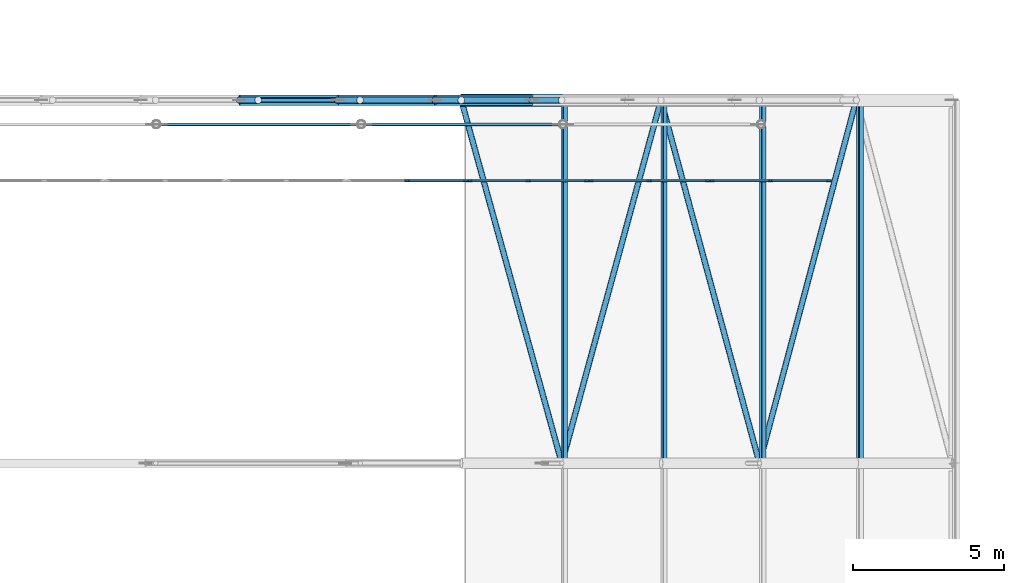
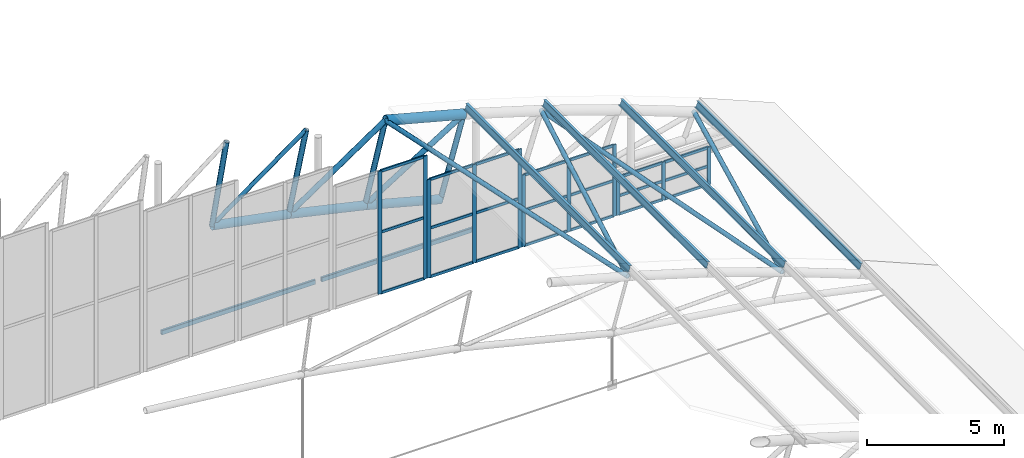
# One storey, part 199 of 321: 53 members, 4 elements without a shape of their own.
"""IFC4 building model written with IfcOpenShell, lengths in metres."""

from ifc_helpers import new_model, si_unit, direction, frame, origin, origin_2d, place, context, subcontext, project, spatial, rectangle, hollow_rectangle, hollow_circle, i_section, extrude, material, layer, layer_set, material_profile, profile_set, type_object, element, aggregate, save


model = new_model("IFC4")

# Units and contexts
model_context = context("Model", 3, precision=1e-05, world=origin(), true_north=direction((0.0, 1.0)))
body_context = subcontext(model_context, "Body", "Model", "MODEL_VIEW")
ifc_project = project(units=[si_unit("LENGTHUNIT", "METRE"), si_unit("AREAUNIT", "SQUARE_METRE"), si_unit("VOLUMEUNIT", "CUBIC_METRE"), si_unit("PLANEANGLEUNIT", "RADIAN"), si_unit("MASSUNIT", "GRAM", prefix="KILO")], contexts=[model_context])

# Site, building, storey
site_placement = place(None, origin())
site = spatial("IfcSite", under=ifc_project, at=site_placement, CompositionType="ELEMENT")
building_placement = place(site_placement, origin())
building = spatial("IfcBuilding", under=site, at=building_placement, Name="Ravi Spectrum Wholesale Market", CompositionType="ELEMENT")
storey_placement = place(building_placement, frame((0.0, 0.0, 10.800048828125)))
storey = spatial("IfcBuildingStorey", under=building, at=storey_placement, Name="L02", CompositionType="ELEMENT", Elevation=10.800048828125)

# Members
ifc_material_1 = material(Name="Steel S355", Category="steel")
ifc_material_profile_1 = material_profile(ifc_material_1, hollow_circle(Radius=0.084228515625, WallThickness=0.00634765625, at=origin_2d()))
ifc_profile_set_1 = profile_set([ifc_material_profile_1], Name="Steel S355")
member_type_1 = type_object("IfcMemberType", Name="CHS 168.3x6.3 brace", PredefinedType="BRACE", material=ifc_profile_set_1)
member_1_placement = place(storey_placement, frame((90.436279296875, 198.0, 6.27734375), z_axis=(-0.808703958366, 0.0, -0.588215868303), x_axis=(0.0, -1.0, 0.0)))
element("IfcMember", 1, at=member_1_placement, inside=storey, type_object=member_type_1, Name="H1-MB-L02-1222", PredefinedType="BRACE", context=body_context, shape_type="SweptSolid", body=[
    extrude(hollow_circle(Radius=0.084228515625, WallThickness=0.00634765625, at=origin_2d()), origin(), (0.0, 0.0, 1.0), 4.9296875),
])
ifc_material_2 = material(Name="Steel S355", Category="steel")
ifc_material_profile_2 = material_profile(ifc_material_2, hollow_circle(Radius=0.096923828125, WallThickness=0.00634765625, at=origin_2d()))
ifc_profile_set_2 = profile_set([ifc_material_profile_2], Name="Steel S355")
member_type_2 = type_object("IfcMemberType", Name="CHS 193.7x6.3 brace", PredefinedType="BRACE", material=ifc_profile_set_2)
for number, where, z_axis, x_axis, name in (
    (2, (93.78076171875, 198.0, 5.514404296875), (0.26624914117, -0.961478053543, -0.068347255841), (0.963731651121, 0.266873199532, 0.0), "H1-MB-L02-1723"),
    (3, (97.103759765625, 186.0, 4.661376953125), (0.262551801783, 0.961477139117, -0.08141414089), (-0.964679529004, 0.263426282517, 0.0), "H1-MB-L02-1724"),
    (4, (100.380615234375, 198.0, 3.645263671875), (0.260908126195, -0.961475200084, -0.086558588875), (0.965097440522, 0.261891065708, 0.0), "H1-MB-L02-1725"),
):
    element("IfcMember", number, at=place(storey_placement, frame(where, z_axis=z_axis, x_axis=x_axis)), inside=storey, type_object=member_type_2, Name=name, PredefinedType="BRACE", context=body_context, shape_type="SweptSolid", body=[
        extrude(hollow_circle(Radius=0.096923828125, WallThickness=0.00634765625, at=origin_2d()), origin(), (0.0, 0.0, 1.0), 12.480712890625),
    ])
member_2_placement = place(storey_placement, frame((103.636962890625, 186.0, 2.56494140625), z_axis=(0.256330404397, 0.961473751291, -0.099312382717), x_axis=(-0.966250599295, 0.257603919539, 0.0)))
element("IfcMember", 5, at=member_2_placement, inside=storey, type_object=member_type_2, Name="H1-MB-L02-1726", PredefinedType="BRACE", context=body_context, shape_type="SweptSolid", body=[
    extrude(hollow_circle(Radius=0.096923828125, WallThickness=0.00634765625, at=origin_2d()), origin(), (0.0, 0.0, 1.0), 12.48095703125),
])
ifc_material_3 = material(Name="Steel S355", Category="steel")
ifc_material_profile_3 = material_profile(ifc_material_3, hollow_circle(Radius=0.109619140625, WallThickness=0.008056640625, at=origin_2d()))
ifc_profile_set_3 = profile_set([ifc_material_profile_3], Name="Steel S355")
member_type_3 = type_object("IfcMemberType", Name="CHS 219.1x8 brace", PredefinedType="BRACE", material=ifc_profile_set_3)
for number, where, z_axis, x_axis, name in (
    (6, (93.78076171875, 198.0, 5.514404296875), (-0.828544259915, 0.0, -0.559923574573), (0.0, -1.0, 0.0), "H1-MB-L02-1223"),
    (7, (97.096923828125, 198.0, 4.63671875), (-0.847368909482, 0.0, -0.531004643335), (0.0, -1.0, 0.0), "H1-MB-L02-1224"),
):
    element("IfcMember", number, at=place(storey_placement, frame(where, z_axis=z_axis, x_axis=x_axis)), inside=storey, type_object=member_type_3, Name=name, PredefinedType="BRACE", context=body_context, shape_type="SweptSolid", body=[
        extrude(hollow_circle(Radius=0.109619140625, WallThickness=0.008056640625, at=origin_2d()), origin(), (0.0, 0.0, 1.0), 4.9296875),
    ])
ifc_material_4 = material(Name="Steel S355", Category="steel")
ifc_material_profile_4 = material_profile(ifc_material_4, hollow_circle(Radius=0.109619140625, WallThickness=0.008056640625, at=origin_2d()))
ifc_profile_set_4 = profile_set([ifc_material_profile_4], Name="Steel S355")
member_type_4 = type_object("IfcMemberType", Name="CHS 219.1x8 post", PredefinedType="POST", material=ifc_profile_set_4)
for number, where, z_axis, x_axis, name in (
    (8, (87.0673828125, 198.0, 6.92431640625), (-0.171575852457, 0.0, -0.985170912509), (0.0, -1.0, 0.0), "H1-MB-L02-1199"),
    (9, (90.436279296875, 198.0, 6.27734375), (-0.205549060287, 0.0, -0.978646812602), (0.0, -1.0, 0.0), "H1-MB-L02-1200"),
):
    element("IfcMember", number, at=place(storey_placement, frame(where, z_axis=z_axis, x_axis=x_axis)), inside=storey, type_object=member_type_4, Name=name, PredefinedType="POST", context=body_context, shape_type="SweptSolid", body=[
        extrude(hollow_circle(Radius=0.109619140625, WallThickness=0.008056640625, at=origin_2d()), origin(), (0.0, 0.0, 1.0), 3.60009765625),
    ])
for number, where, z_axis, x_axis, name in (
    (10, (93.78076171875, 198.0, 5.514404296875), (-0.239199072456, 0.0, -0.970970547306), (0.0, -1.0, 0.0), "H1-MB-L02-1201"),
    (11, (97.096923828125, 198.0, 4.63671875), (-0.272561766134, 0.0, -0.962138287172), (0.0, -1.0, 0.0), "H1-MB-L02-1202"),
):
    element("IfcMember", number, at=place(storey_placement, frame(where, z_axis=z_axis, x_axis=x_axis)), inside=storey, type_object=member_type_4, Name=name, PredefinedType="POST", context=body_context, shape_type="SweptSolid", body=[
        extrude(hollow_circle(Radius=0.109619140625, WallThickness=0.008056640625, at=origin_2d()), origin(), (0.0, 0.0, 1.0), 3.599853515625),
    ])
ifc_material_5 = material(Name="Steel S355", Category="steel")
ifc_material_profile_5 = material_profile(ifc_material_5, hollow_circle(Radius=0.177734375, WallThickness=0.012451171875, at=origin_2d()))
ifc_profile_set_5 = profile_set([ifc_material_profile_5], Name="Steel S355")
member_type_5 = type_object("IfcMemberType", Name="CHS 355.6x12.5 chord", PredefinedType="CHORD", material=ifc_profile_set_5)
member_3_placement = place(storey_placement, frame((86.44970703125, 198.0, 3.377685546875), z_axis=(0.982051718756, 0.0, -0.188611828072), x_axis=(0.0, 1.0, 0.0)))
element("IfcMember", 12, at=member_3_placement, inside=storey, type_object=member_type_5, Name="H1-MB-L02-1176", PredefinedType="CHORD", context=body_context, shape_type="SweptSolid", body=[
    extrude(hollow_circle(Radius=0.177734375, WallThickness=0.012451171875, at=origin_2d()), origin(), (0.0, 0.0, 1.0), 3.305908203125),
])
for number, where, z_axis, x_axis, name in (
    (13, (89.6962890625, 198.0, 2.754150390625), (0.974967923727, 0.0, -0.222345559217), (0.0, 1.0, 0.0), "H1-MB-L02-1177"),
    (14, (92.919677734375, 198.0, 2.01904296875), (0.966710063159, 0.0, -0.255874292938), (0.0, 1.0, 0.0), "H1-MB-L02-1178"),
):
    element("IfcMember", number, at=place(storey_placement, frame(where, z_axis=z_axis, x_axis=x_axis)), inside=storey, type_object=member_type_5, Name=name, PredefinedType="CHORD", context=body_context, shape_type="SweptSolid", body=[
        extrude(hollow_circle(Radius=0.177734375, WallThickness=0.012451171875, at=origin_2d()), origin(), (0.0, 0.0, 1.0), 3.30615234375),
    ])
ifc_material_6 = material(Name="Steel S355", Category="steel")
ifc_material_profile_6 = material_profile(ifc_material_6, hollow_circle(Radius=0.203125, WallThickness=0.01611328125, at=origin_2d()))
ifc_profile_set_6 = profile_set([ifc_material_profile_6], Name="Steel S355")
member_type_6 = type_object("IfcMemberType", Name="CHS 406.4x16 chord", PredefinedType="CHORD", material=ifc_profile_set_6)
member_4_placement = place(storey_placement, frame((93.78076171875, 198.0, 5.514404296875), z_axis=(0.966714030155, 0.0, -0.255859304896), x_axis=(0.0, 1.0, 0.0)))
element("IfcMember", 15, at=member_4_placement, inside=storey, type_object=member_type_6, Name="H1-MB-L02-1154", PredefinedType="CHORD", context=body_context, shape_type="SweptSolid", body=[
    extrude(hollow_circle(Radius=0.203125, WallThickness=0.01611328125, at=origin_2d()), origin(), (0.0, 0.0, 1.0), 3.430419921875),
])
ifc_material_7 = material(Name="Steel S355", Category="steel")
ifc_material_profile_7 = material_profile(ifc_material_7, i_section(OverallWidth=0.135009765625, OverallDepth=0.27001953125, WebThickness=0.006591796875, FlangeThickness=0.01025390625, at=origin_2d()))
ifc_profile_set_7 = profile_set([ifc_material_profile_7], Name="Steel S355")
member_type_7 = type_object("IfcMemberType", Name="IPE 270 purlin", PredefinedType="PURLIN", material=ifc_profile_set_7)
for number, where, z_axis, x_axis, name in (
    (16, (97.18896484375, 186.0, 4.962158203125), (0.0, 1.0, 0.0), (-0.96215600485, 0.0, 0.272499215286), "H1-MB-L02-1579"),
    (17, (100.484130859375, 186.0, 3.96728515625), (0.0, 1.0, 0.0), (-0.952184497174, 0.0, 0.305523621577), "H1-MB-L02-1580"),
    (18, (103.74267578125, 186.0, 2.859375), (0.0, 1.0, 0.0), (-0.941079849597, 0.0, 0.338184441811), "H1-MB-L02-1581"),
    (19, (106.96142578125, 186.0, 1.6396484375), (0.0, 1.0, 0.0), (-0.928855283584, 0.0, 0.370442792017), "H1-MB-L02-1582"),
):
    element("IfcMember", number, at=place(storey_placement, frame(where, z_axis=z_axis, x_axis=x_axis)), inside=storey, type_object=member_type_7, Name=name, PredefinedType="PURLIN", context=body_context, shape_type="SweptSolid", body=[
        extrude(i_section(OverallWidth=0.135009765625, OverallDepth=0.27001953125, WebThickness=0.006591796875, FlangeThickness=0.01025390625, at=origin_2d()), origin(), (0.0, 0.0, 1.0), 12.0),
    ])

# Curtain wall, members
ifc_material_8 = material(Name="Aluminium 6063-T6", Category="aluminium")
ifc_layer = layer(ifc_material_8, 0.14990234375)
ifc_layer_set = layer_set([ifc_layer], Name="Aluminium 6063-T6")
curtain_wall_type = type_object("IfcCurtainWallType", Name="Curtain wall 150", PredefinedType="NOTDEFINED", material=ifc_layer_set)
curtain_wall_1_placement = place(storey_placement, origin())
curtain_wall_1 = element("IfcCurtainWall", 20, at=curtain_wall_1_placement, inside=storey, type_object=curtain_wall_type, Name="H1-CW-L02-015", PredefinedType="NOTDEFINED")
ifc_material_9 = material(Name="Aluminium 6063-T6", Category="aluminium")
ifc_material_profile_8 = material_profile(ifc_material_9, rectangle(XDim=0.06005859375, YDim=0.159912109375, at=origin_2d()))
ifc_profile_set_8 = profile_set([ifc_material_profile_8], Name="Aluminium 6063-T6")
member_type_8 = type_object("IfcMemberType", Name="Mullion 60 x 160", PredefinedType="MULLION", material=ifc_profile_set_8)
member_5_placement = place(storey_placement, frame((92.0, 195.340087890625, 0.0), z_axis=(0.0, 0.0, 1.0), x_axis=(0.0, 1.0, 0.0)))
member_5 = element("IfcMember", 21, at=member_5_placement, type_object=member_type_8, Name="H1-CW-L02-015 mullion 2", PredefinedType="MULLION", context=body_context, shape_type="SweptSolid", body=[
    extrude(rectangle(XDim=0.06005859375, YDim=0.159912109375, at=origin_2d()), origin(), (0.0, 0.0, 1.0), 5.5),
])
member_6_placement = place(storey_placement, frame((93.929931640625, 195.340087890625, 0.0), z_axis=(0.0, 0.0, 1.0), x_axis=(0.0, 1.0, 0.0)))
member_6 = element("IfcMember", 22, at=member_6_placement, type_object=member_type_8, Name="H1-CW-L02-015 mullion 3", PredefinedType="MULLION", context=body_context, shape_type="SweptSolid", body=[
    extrude(rectangle(XDim=0.06005859375, YDim=0.159912109375, at=origin_2d()), origin(), (0.0, 0.0, 1.0), 5.5),
])

curtain_wall_2_placement = place(storey_placement, origin())
curtain_wall_2 = element("IfcCurtainWall", 23, at=curtain_wall_2_placement, inside=storey, type_object=curtain_wall_type, Name="H1-CW-L02-016", PredefinedType="NOTDEFINED")
member_7_placement = place(storey_placement, frame((94.070068359375, 195.340087890625, 0.0), z_axis=(0.0, 0.0, 1.0), x_axis=(0.0, 1.0, 0.0)))
member_7 = element("IfcMember", 24, at=member_7_placement, type_object=member_type_8, Name="H1-CW-L02-016 mullion 1", PredefinedType="MULLION", context=body_context, shape_type="SweptSolid", body=[
    extrude(rectangle(XDim=0.06005859375, YDim=0.159912109375, at=origin_2d()), origin(), (0.0, 0.0, 1.0), 4.39990234375),
])
member_8_placement = place(storey_placement, frame((96.0, 195.340087890625, 0.0), z_axis=(0.0, 0.0, 1.0), x_axis=(0.0, 1.0, 0.0)))
member_8 = element("IfcMember", 25, at=member_8_placement, type_object=member_type_8, Name="H1-CW-L02-016 mullion 2", PredefinedType="MULLION", context=body_context, shape_type="SweptSolid", body=[
    extrude(rectangle(XDim=0.06005859375, YDim=0.159912109375, at=origin_2d()), origin(), (0.0, 0.0, 1.0), 4.39990234375),
])
member_9_placement = place(storey_placement, frame((97.929931640625, 195.340087890625, 0.0), z_axis=(0.0, 0.0, 1.0), x_axis=(0.0, 1.0, 0.0)))
member_9 = element("IfcMember", 26, at=member_9_placement, type_object=member_type_8, Name="H1-CW-L02-016 mullion 3", PredefinedType="MULLION", context=body_context, shape_type="SweptSolid", body=[
    extrude(rectangle(XDim=0.06005859375, YDim=0.159912109375, at=origin_2d()), origin(), (0.0, 0.0, 1.0), 4.39990234375),
])

curtain_wall_3_placement = place(storey_placement, origin())
curtain_wall_3 = element("IfcCurtainWall", 27, at=curtain_wall_3_placement, inside=storey, type_object=curtain_wall_type, Name="H1-CW-L02-017", PredefinedType="NOTDEFINED")
member_10_placement = place(storey_placement, frame((98.070068359375, 195.340087890625, 0.0), z_axis=(0.0, 0.0, 1.0), x_axis=(0.0, 1.0, 0.0)))
member_10 = element("IfcMember", 28, at=member_10_placement, type_object=member_type_8, Name="H1-CW-L02-017 mullion 1", PredefinedType="MULLION", context=body_context, shape_type="SweptSolid", body=[
    extrude(rectangle(XDim=0.06005859375, YDim=0.159912109375, at=origin_2d()), origin(), (0.0, 0.0, 1.0), 3.199951171875),
])
member_11_placement = place(storey_placement, frame((100.0, 195.340087890625, 0.0), z_axis=(0.0, 0.0, 1.0), x_axis=(0.0, 1.0, 0.0)))
member_11 = element("IfcMember", 29, at=member_11_placement, type_object=member_type_8, Name="H1-CW-L02-017 mullion 2", PredefinedType="MULLION", context=body_context, shape_type="SweptSolid", body=[
    extrude(rectangle(XDim=0.06005859375, YDim=0.159912109375, at=origin_2d()), origin(), (0.0, 0.0, 1.0), 3.199951171875),
])
member_12_placement = place(storey_placement, frame((101.929931640625, 195.340087890625, 0.0), z_axis=(0.0, 0.0, 1.0), x_axis=(0.0, 1.0, 0.0)))
member_12 = element("IfcMember", 30, at=member_12_placement, type_object=member_type_8, Name="H1-CW-L02-017 mullion 3", PredefinedType="MULLION", context=body_context, shape_type="SweptSolid", body=[
    extrude(rectangle(XDim=0.06005859375, YDim=0.159912109375, at=origin_2d()), origin(), (0.0, 0.0, 1.0), 3.199951171875),
])

curtain_wall_4_placement = place(storey_placement, origin())
curtain_wall_4 = element("IfcCurtainWall", 31, at=curtain_wall_4_placement, inside=storey, type_object=curtain_wall_type, Name="H1-CW-L02-018", PredefinedType="NOTDEFINED")
member_13_placement = place(storey_placement, frame((102.070068359375, 195.340087890625, 0.0), z_axis=(0.0, 0.0, 1.0), x_axis=(0.0, 1.0, 0.0)))
member_13 = element("IfcMember", 32, at=member_13_placement, type_object=member_type_8, Name="H1-CW-L02-018 mullion 1", PredefinedType="MULLION", context=body_context, shape_type="SweptSolid", body=[
    extrude(rectangle(XDim=0.06005859375, YDim=0.159912109375, at=origin_2d()), origin(), (0.0, 0.0, 1.0), 1.699951171875),
])
member_14_placement = place(storey_placement, frame((104.0, 195.340087890625, 0.0), z_axis=(0.0, 0.0, 1.0), x_axis=(0.0, 1.0, 0.0)))
member_14 = element("IfcMember", 33, at=member_14_placement, type_object=member_type_8, Name="H1-CW-L02-018 mullion 2", PredefinedType="MULLION", context=body_context, shape_type="SweptSolid", body=[
    extrude(rectangle(XDim=0.06005859375, YDim=0.159912109375, at=origin_2d()), origin(), (0.0, 0.0, 1.0), 1.699951171875),
])
member_15_placement = place(storey_placement, frame((105.929931640625, 195.340087890625, 0.0), z_axis=(0.0, 0.0, 1.0), x_axis=(0.0, 1.0, 0.0)))
member_15 = element("IfcMember", 34, at=member_15_placement, type_object=member_type_8, Name="H1-CW-L02-018 mullion 3", PredefinedType="MULLION", context=body_context, shape_type="SweptSolid", body=[
    extrude(rectangle(XDim=0.06005859375, YDim=0.159912109375, at=origin_2d()), origin(), (0.0, 0.0, 1.0), 1.699951171875),
])

# Members
ifc_material_10 = material(Name="Steel S355", Category="steel")
ifc_material_profile_9 = material_profile(ifc_material_10, hollow_rectangle(XDim=0.10009765625, YDim=0.199951171875, WallThickness=0.00634765625, InnerFilletRadius=0.00634765625, OuterFilletRadius=0.0126953125, at=origin_2d()))
ifc_profile_set_9 = profile_set([ifc_material_profile_9], Name="Steel S355")
member_type_9 = type_object("IfcMemberType", Name="RHS 200x100x6.3 strut", PredefinedType="STRUT", material=ifc_profile_set_9)
member_16_placement = place(storey_placement, frame((83.8427734375, 197.199951171875, 0.0), z_axis=(1.0, 0.0, 0.0), x_axis=(0.0, 1.0, 0.0)))
element("IfcMember", 35, at=member_16_placement, inside=storey, type_object=member_type_9, Name="H1-MB-L02-1760", PredefinedType="STRUT", context=body_context, shape_type="SweptSolid", body=[
    extrude(hollow_rectangle(XDim=0.10009765625, YDim=0.199951171875, WallThickness=0.00634765625, InnerFilletRadius=0.00634765625, OuterFilletRadius=0.0126953125, at=origin_2d()), origin(), (0.0, 0.0, 1.0), 6.498779296875),
])
member_17_placement = place(storey_placement, frame((90.614501953125, 197.199951171875, 0.0), z_axis=(1.0, 0.0, 0.0), x_axis=(0.0, 1.0, 0.0)))
element("IfcMember", 36, at=member_17_placement, inside=storey, type_object=member_type_9, Name="H1-MB-L02-1761", PredefinedType="STRUT", context=body_context, shape_type="SweptSolid", body=[
    extrude(hollow_rectangle(XDim=0.10009765625, YDim=0.199951171875, WallThickness=0.00634765625, InnerFilletRadius=0.00634765625, OuterFilletRadius=0.0126953125, at=origin_2d()), origin(), (0.0, 0.0, 1.0), 6.401123046875),
])

# Member
ifc_material_11 = material(Name="Aluminium 6063-T6", Category="aluminium")
ifc_material_profile_10 = material_profile(ifc_material_11, rectangle(XDim=0.06005859375, YDim=0.1201171875, at=origin_2d()))
ifc_profile_set_10 = profile_set([ifc_material_profile_10], Name="Aluminium 6063-T6")
member_type_10 = type_object("IfcMemberType", Name="Transom 60 x 120", PredefinedType="USERDEFINED", material=ifc_profile_set_10)
member_18_placement = place(storey_placement, frame((92.030029296875, 195.340087890625, 0.030029296875), z_axis=(1.0, 0.0, 0.0), x_axis=(0.0, 1.0, 0.0)))
member_18 = element("IfcMember", 37, at=member_18_placement, type_object=member_type_10, Name="H1-CW-L02-015 transom 2.1", ObjectType="TRANSOM", PredefinedType="USERDEFINED", context=body_context, shape_type="SweptSolid", body=[
    extrude(rectangle(XDim=0.06005859375, YDim=0.1201171875, at=origin_2d()), origin(), (0.0, 0.0, 1.0), 1.869873046875),
])

member_19_placement = place(storey_placement, frame((92.030029296875, 195.340087890625, 2.75), z_axis=(1.0, 0.0, 0.0), x_axis=(0.0, 1.0, 0.0)))
member_19 = element("IfcMember", 38, at=member_19_placement, type_object=member_type_10, Name="H1-CW-L02-015 transom 2.2", ObjectType="TRANSOM", PredefinedType="USERDEFINED", context=body_context, shape_type="SweptSolid", body=[
    extrude(rectangle(XDim=0.06005859375, YDim=0.1201171875, at=origin_2d()), origin(), (0.0, 0.0, 1.0), 1.869873046875),
])

member_20_placement = place(storey_placement, frame((92.030029296875, 195.340087890625, 5.469970703125), z_axis=(1.0, 0.0, 0.0), x_axis=(0.0, 1.0, 0.0)))
member_20 = element("IfcMember", 39, at=member_20_placement, type_object=member_type_10, Name="H1-CW-L02-015 transom 2.3", ObjectType="TRANSOM", PredefinedType="USERDEFINED", context=body_context, shape_type="SweptSolid", body=[
    extrude(rectangle(XDim=0.06005859375, YDim=0.1201171875, at=origin_2d()), origin(), (0.0, 0.0, 1.0), 1.869873046875),
])

aggregate(curtain_wall_1, [member_5, member_6, member_18, member_19, member_20])

member_21_placement = place(storey_placement, frame((94.10009765625, 195.340087890625, 0.030029296875), z_axis=(1.0, 0.0, 0.0), x_axis=(0.0, 1.0, 0.0)))
member_21 = element("IfcMember", 40, at=member_21_placement, type_object=member_type_10, Name="H1-CW-L02-016 transom 1.1", ObjectType="TRANSOM", PredefinedType="USERDEFINED", context=body_context, shape_type="SweptSolid", body=[
    extrude(rectangle(XDim=0.06005859375, YDim=0.1201171875, at=origin_2d()), origin(), (0.0, 0.0, 1.0), 1.869873046875),
])

member_22_placement = place(storey_placement, frame((94.10009765625, 195.340087890625, 2.199951171875), z_axis=(1.0, 0.0, 0.0), x_axis=(0.0, 1.0, 0.0)))
member_22 = element("IfcMember", 41, at=member_22_placement, type_object=member_type_10, Name="H1-CW-L02-016 transom 1.2", ObjectType="TRANSOM", PredefinedType="USERDEFINED", context=body_context, shape_type="SweptSolid", body=[
    extrude(rectangle(XDim=0.06005859375, YDim=0.1201171875, at=origin_2d()), origin(), (0.0, 0.0, 1.0), 1.869873046875),
])

member_23_placement = place(storey_placement, frame((94.10009765625, 195.340087890625, 4.369873046875), z_axis=(1.0, 0.0, 0.0), x_axis=(0.0, 1.0, 0.0)))
member_23 = element("IfcMember", 42, at=member_23_placement, type_object=member_type_10, Name="H1-CW-L02-016 transom 1.3", ObjectType="TRANSOM", PredefinedType="USERDEFINED", context=body_context, shape_type="SweptSolid", body=[
    extrude(rectangle(XDim=0.06005859375, YDim=0.1201171875, at=origin_2d()), origin(), (0.0, 0.0, 1.0), 1.869873046875),
])

member_24_placement = place(storey_placement, frame((96.030029296875, 195.340087890625, 0.030029296875), z_axis=(1.0, 0.0, 0.0), x_axis=(0.0, 1.0, 0.0)))
member_24 = element("IfcMember", 43, at=member_24_placement, type_object=member_type_10, Name="H1-CW-L02-016 transom 2.1", ObjectType="TRANSOM", PredefinedType="USERDEFINED", context=body_context, shape_type="SweptSolid", body=[
    extrude(rectangle(XDim=0.06005859375, YDim=0.1201171875, at=origin_2d()), origin(), (0.0, 0.0, 1.0), 1.869873046875),
])

member_25_placement = place(storey_placement, frame((96.030029296875, 195.340087890625, 2.199951171875), z_axis=(1.0, 0.0, 0.0), x_axis=(0.0, 1.0, 0.0)))
member_25 = element("IfcMember", 44, at=member_25_placement, type_object=member_type_10, Name="H1-CW-L02-016 transom 2.2", ObjectType="TRANSOM", PredefinedType="USERDEFINED", context=body_context, shape_type="SweptSolid", body=[
    extrude(rectangle(XDim=0.06005859375, YDim=0.1201171875, at=origin_2d()), origin(), (0.0, 0.0, 1.0), 1.869873046875),
])

member_26_placement = place(storey_placement, frame((96.030029296875, 195.340087890625, 4.369873046875), z_axis=(1.0, 0.0, 0.0), x_axis=(0.0, 1.0, 0.0)))
member_26 = element("IfcMember", 45, at=member_26_placement, type_object=member_type_10, Name="H1-CW-L02-016 transom 2.3", ObjectType="TRANSOM", PredefinedType="USERDEFINED", context=body_context, shape_type="SweptSolid", body=[
    extrude(rectangle(XDim=0.06005859375, YDim=0.1201171875, at=origin_2d()), origin(), (0.0, 0.0, 1.0), 1.869873046875),
])

aggregate(curtain_wall_2, [member_7, member_8, member_9, member_21, member_22, member_23, member_24, member_25, member_26])

member_27_placement = place(storey_placement, frame((98.10009765625, 195.340087890625, 0.030029296875), z_axis=(1.0, 0.0, 0.0), x_axis=(0.0, 1.0, 0.0)))
member_27 = element("IfcMember", 46, at=member_27_placement, type_object=member_type_10, Name="H1-CW-L02-017 transom 1.1", ObjectType="TRANSOM", PredefinedType="USERDEFINED", context=body_context, shape_type="SweptSolid", body=[
    extrude(rectangle(XDim=0.06005859375, YDim=0.1201171875, at=origin_2d()), origin(), (0.0, 0.0, 1.0), 1.869873046875),
])

member_28_placement = place(storey_placement, frame((98.10009765625, 195.340087890625, 1.599853515625), z_axis=(1.0, 0.0, 0.0), x_axis=(0.0, 1.0, 0.0)))
member_28 = element("IfcMember", 47, at=member_28_placement, type_object=member_type_10, Name="H1-CW-L02-017 transom 1.2", ObjectType="TRANSOM", PredefinedType="USERDEFINED", context=body_context, shape_type="SweptSolid", body=[
    extrude(rectangle(XDim=0.06005859375, YDim=0.1201171875, at=origin_2d()), origin(), (0.0, 0.0, 1.0), 1.869873046875),
])

member_29_placement = place(storey_placement, frame((98.10009765625, 195.340087890625, 3.169921875), z_axis=(1.0, 0.0, 0.0), x_axis=(0.0, 1.0, 0.0)))
member_29 = element("IfcMember", 48, at=member_29_placement, type_object=member_type_10, Name="H1-CW-L02-017 transom 1.3", ObjectType="TRANSOM", PredefinedType="USERDEFINED", context=body_context, shape_type="SweptSolid", body=[
    extrude(rectangle(XDim=0.06005859375, YDim=0.1201171875, at=origin_2d()), origin(), (0.0, 0.0, 1.0), 1.869873046875),
])

member_30_placement = place(storey_placement, frame((100.030029296875, 195.340087890625, 0.030029296875), z_axis=(1.0, 0.0, 0.0), x_axis=(0.0, 1.0, 0.0)))
member_30 = element("IfcMember", 49, at=member_30_placement, type_object=member_type_10, Name="H1-CW-L02-017 transom 2.1", ObjectType="TRANSOM", PredefinedType="USERDEFINED", context=body_context, shape_type="SweptSolid", body=[
    extrude(rectangle(XDim=0.06005859375, YDim=0.1201171875, at=origin_2d()), origin(), (0.0, 0.0, 1.0), 1.869873046875),
])

member_31_placement = place(storey_placement, frame((100.030029296875, 195.340087890625, 1.599853515625), z_axis=(1.0, 0.0, 0.0), x_axis=(0.0, 1.0, 0.0)))
member_31 = element("IfcMember", 50, at=member_31_placement, type_object=member_type_10, Name="H1-CW-L02-017 transom 2.2", ObjectType="TRANSOM", PredefinedType="USERDEFINED", context=body_context, shape_type="SweptSolid", body=[
    extrude(rectangle(XDim=0.06005859375, YDim=0.1201171875, at=origin_2d()), origin(), (0.0, 0.0, 1.0), 1.869873046875),
])

member_32_placement = place(storey_placement, frame((100.030029296875, 195.340087890625, 3.169921875), z_axis=(1.0, 0.0, 0.0), x_axis=(0.0, 1.0, 0.0)))
member_32 = element("IfcMember", 51, at=member_32_placement, type_object=member_type_10, Name="H1-CW-L02-017 transom 2.3", ObjectType="TRANSOM", PredefinedType="USERDEFINED", context=body_context, shape_type="SweptSolid", body=[
    extrude(rectangle(XDim=0.06005859375, YDim=0.1201171875, at=origin_2d()), origin(), (0.0, 0.0, 1.0), 1.869873046875),
])

aggregate(curtain_wall_3, [member_10, member_11, member_12, member_27, member_28, member_29, member_30, member_31, member_32])

member_33_placement = place(storey_placement, frame((102.10009765625, 195.340087890625, 0.030029296875), z_axis=(1.0, 0.0, 0.0), x_axis=(0.0, 1.0, 0.0)))
member_33 = element("IfcMember", 52, at=member_33_placement, type_object=member_type_10, Name="H1-CW-L02-018 transom 1.1", ObjectType="TRANSOM", PredefinedType="USERDEFINED", context=body_context, shape_type="SweptSolid", body=[
    extrude(rectangle(XDim=0.06005859375, YDim=0.1201171875, at=origin_2d()), origin(), (0.0, 0.0, 1.0), 1.869873046875),
])

member_34_placement = place(storey_placement, frame((102.10009765625, 195.340087890625, 0.849853515625), z_axis=(1.0, 0.0, 0.0), x_axis=(0.0, 1.0, 0.0)))
member_34 = element("IfcMember", 53, at=member_34_placement, type_object=member_type_10, Name="H1-CW-L02-018 transom 1.2", ObjectType="TRANSOM", PredefinedType="USERDEFINED", context=body_context, shape_type="SweptSolid", body=[
    extrude(rectangle(XDim=0.06005859375, YDim=0.1201171875, at=origin_2d()), origin(), (0.0, 0.0, 1.0), 1.869873046875),
])

member_35_placement = place(storey_placement, frame((102.10009765625, 195.340087890625, 1.669921875), z_axis=(1.0, 0.0, 0.0), x_axis=(0.0, 1.0, 0.0)))
member_35 = element("IfcMember", 54, at=member_35_placement, type_object=member_type_10, Name="H1-CW-L02-018 transom 1.3", ObjectType="TRANSOM", PredefinedType="USERDEFINED", context=body_context, shape_type="SweptSolid", body=[
    extrude(rectangle(XDim=0.06005859375, YDim=0.1201171875, at=origin_2d()), origin(), (0.0, 0.0, 1.0), 1.869873046875),
])

member_36_placement = place(storey_placement, frame((104.030029296875, 195.340087890625, 0.030029296875), z_axis=(1.0, 0.0, 0.0), x_axis=(0.0, 1.0, 0.0)))
member_36 = element("IfcMember", 55, at=member_36_placement, type_object=member_type_10, Name="H1-CW-L02-018 transom 2.1", ObjectType="TRANSOM", PredefinedType="USERDEFINED", context=body_context, shape_type="SweptSolid", body=[
    extrude(rectangle(XDim=0.06005859375, YDim=0.1201171875, at=origin_2d()), origin(), (0.0, 0.0, 1.0), 1.869873046875),
])

member_37_placement = place(storey_placement, frame((104.030029296875, 195.340087890625, 0.849853515625), z_axis=(1.0, 0.0, 0.0), x_axis=(0.0, 1.0, 0.0)))
member_37 = element("IfcMember", 56, at=member_37_placement, type_object=member_type_10, Name="H1-CW-L02-018 transom 2.2", ObjectType="TRANSOM", PredefinedType="USERDEFINED", context=body_context, shape_type="SweptSolid", body=[
    extrude(rectangle(XDim=0.06005859375, YDim=0.1201171875, at=origin_2d()), origin(), (0.0, 0.0, 1.0), 1.869873046875),
])

member_38_placement = place(storey_placement, frame((104.030029296875, 195.340087890625, 1.669921875), z_axis=(1.0, 0.0, 0.0), x_axis=(0.0, 1.0, 0.0)))
member_38 = element("IfcMember", 57, at=member_38_placement, type_object=member_type_10, Name="H1-CW-L02-018 transom 2.3", ObjectType="TRANSOM", PredefinedType="USERDEFINED", context=body_context, shape_type="SweptSolid", body=[
    extrude(rectangle(XDim=0.06005859375, YDim=0.1201171875, at=origin_2d()), origin(), (0.0, 0.0, 1.0), 1.869873046875),
])

aggregate(curtain_wall_4, [member_13, member_14, member_15, member_33, member_34, member_35, member_36, member_37, member_38])

save(model, "model.ifc")
